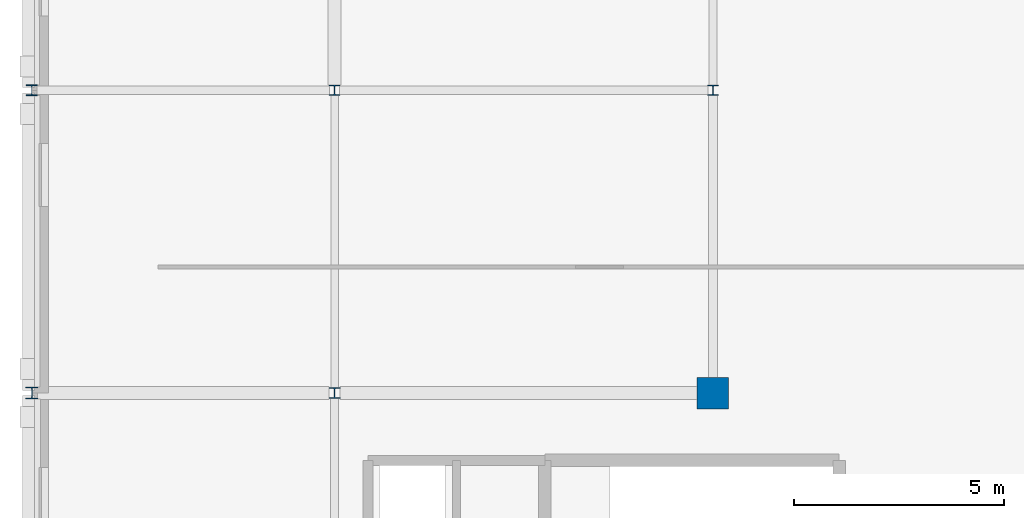
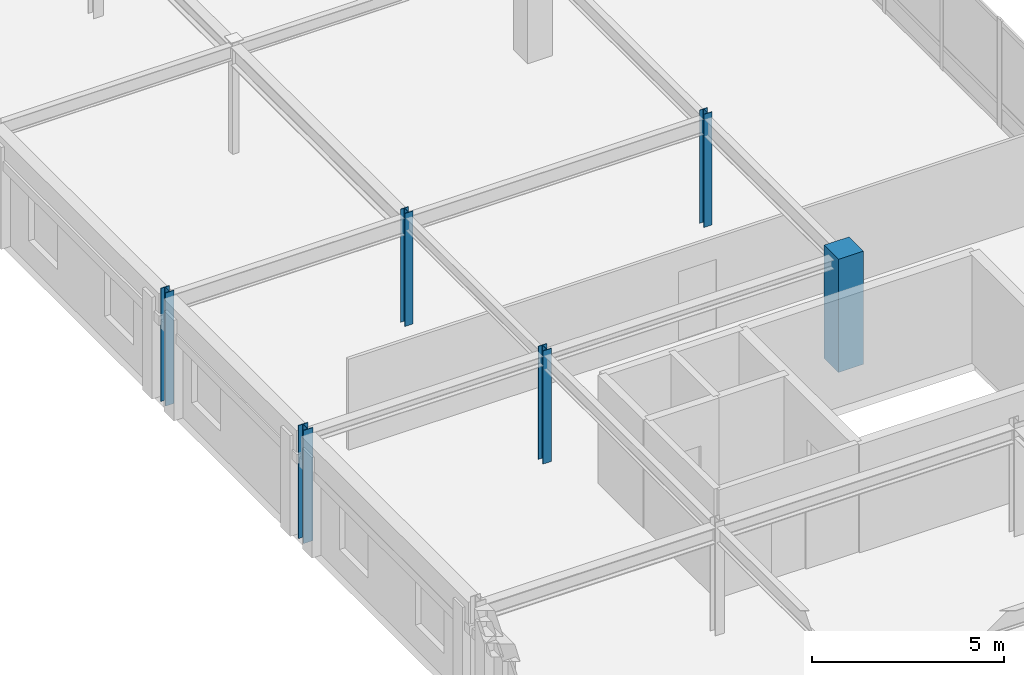
# One storey, part 2 of 74: 6 columns.
"""IFC4 building model written with IfcOpenShell, lengths in metres."""

from ifc_helpers import new_model, si_unit, direction, frame, origin, origin_2d, place, context, subcontext, project, spatial, rectangle, i_section, extrude, material, material_profile, profile_set, type_object, element, save


model = new_model("IFC4")

# Units and contexts
model_context = context("Model", 3, precision=1e-05, world=origin(), true_north=direction((0.0, 1.0)))
body_context = subcontext(model_context, "Body", "Model", "MODEL_VIEW")
ifc_project = project(units=[si_unit("LENGTHUNIT", "METRE"), si_unit("AREAUNIT", "SQUARE_METRE"), si_unit("VOLUMEUNIT", "CUBIC_METRE"), si_unit("PLANEANGLEUNIT", "RADIAN"), si_unit("MASSUNIT", "GRAM", prefix="KILO")], contexts=[model_context])

# Site, building, storey
site_placement = place(None, origin())
site = spatial("IfcSite", under=ifc_project, at=site_placement, CompositionType="ELEMENT")
building_placement = place(site_placement, origin())
building = spatial("IfcBuilding", under=site, at=building_placement, Name="Clarverna Civic Hall", CompositionType="ELEMENT")
storey_placement = place(building_placement, frame((0.0, 0.0, 13.199951171875)))
storey = spatial("IfcBuildingStorey", under=building, at=storey_placement, Name="L03", CompositionType="ELEMENT", Elevation=13.199951171875)

# Columns
ifc_material_1 = material(Name="Concrete C40/50", Category="concrete")
ifc_material_profile_1 = material_profile(ifc_material_1, rectangle(XDim=0.75, YDim=0.75, at=origin_2d()), Name="RC 750x750")
ifc_profile_set_1 = profile_set([ifc_material_profile_1], Name="Concrete C40/50")
column_type_1 = type_object("IfcColumnType", Name="C-RC5", PredefinedType="COLUMN", material=ifc_profile_set_1)
column_1_placement = place(storey_placement, frame((16.199951171875, 23.0, 0.0), z_axis=(0.0, 0.0, 1.0), x_axis=(1.0, 0.0, 0.0)))
element("IfcColumn", 1, at=column_1_placement, inside=storey, type_object=column_type_1, Name="C-RC5-012", PredefinedType="COLUMN", context=body_context, shape_type="SweptSolid", body=[
    extrude(rectangle(XDim=0.75, YDim=0.75, at=origin_2d()), origin(), (0.0, 0.0, 1.0), 3.60009765625),
])
ifc_material_2 = material(Name="Steel S355", Category="steel")
ifc_material_profile_2 = material_profile(ifc_material_2, i_section(OverallWidth=0.239990234375, OverallDepth=0.239990234375, WebThickness=0.010009765625, FlangeThickness=0.01708984375, FilletRadius=0.02099609375, at=origin_2d()), Name="HEB 240")
ifc_profile_set_2 = profile_set([ifc_material_profile_2], Name="Steel S355")
column_type_2 = type_object("IfcColumnType", Name="C-ST10", PredefinedType="COLUMN", material=ifc_profile_set_2)
for number, where, z_axis, x_axis, name in (
    (2, (7.199951171875, 30.199951171875, 0.0), (0.0, 0.0, 1.0), (1.0, 0.0, 0.0), "C-ST10-003"),
    (3, (16.199951171875, 30.199951171875, 0.0), (0.0, 0.0, 1.0), (1.0, 0.0, 0.0), "C-ST10-004"),
):
    element("IfcColumn", number, at=place(storey_placement, frame(where, z_axis=z_axis, x_axis=x_axis)), inside=storey, type_object=column_type_2, Name=name, PredefinedType="COLUMN", context=body_context, shape_type="SweptSolid", body=[
        extrude(i_section(OverallWidth=0.239990234375, OverallDepth=0.239990234375, WebThickness=0.010009765625, FlangeThickness=0.01708984375, FilletRadius=0.02099609375, at=origin_2d()), origin(), (0.0, 0.0, 1.0), 3.60009765625),
    ])
ifc_material_profile_3 = material_profile(ifc_material_2, i_section(OverallWidth=0.280029296875, OverallDepth=0.280029296875, WebThickness=0.010498046875, FlangeThickness=0.01806640625, FilletRadius=0.02392578125, at=origin_2d()), Name="HEB 280")
ifc_profile_set_3 = profile_set([ifc_material_profile_3], Name="Steel S355")
column_type_3 = type_object("IfcColumnType", Name="C-ST8", PredefinedType="COLUMN", material=ifc_profile_set_3)
column_2_placement = place(storey_placement, frame((0.0, 23.0, 0.0), z_axis=(0.0, 0.0, 1.0), x_axis=(1.0, 0.0, 0.0)))
element("IfcColumn", 4, at=column_2_placement, inside=storey, type_object=column_type_3, Name="C-ST8-001", PredefinedType="COLUMN", context=body_context, shape_type="SweptSolid", body=[
    extrude(i_section(OverallWidth=0.280029296875, OverallDepth=0.280029296875, WebThickness=0.010498046875, FlangeThickness=0.01806640625, FilletRadius=0.02392578125, at=origin_2d()), origin(), (0.0, 0.0, 1.0), 3.60009765625),
])
ifc_material_profile_4 = material_profile(ifc_material_2, i_section(OverallWidth=0.260009765625, OverallDepth=0.260009765625, WebThickness=0.010009765625, FlangeThickness=0.017578125, FilletRadius=0.02392578125, at=origin_2d()), Name="HEB 260")
ifc_profile_set_4 = profile_set([ifc_material_profile_4], Name="Steel S355")
column_type_4 = type_object("IfcColumnType", Name="C-ST9", PredefinedType="COLUMN", material=ifc_profile_set_4)
for number, where, z_axis, x_axis, name in (
    (5, (0.0, 30.199951171875, 0.0), (0.0, 0.0, 1.0), (1.0, 0.0, 0.0), "C-ST9-001"),
    (6, (7.199951171875, 23.0, 0.0), (0.0, 0.0, 1.0), (1.0, 0.0, 0.0), "C-ST9-002"),
):
    element("IfcColumn", number, at=place(storey_placement, frame(where, z_axis=z_axis, x_axis=x_axis)), inside=storey, type_object=column_type_4, Name=name, PredefinedType="COLUMN", context=body_context, shape_type="SweptSolid", body=[
        extrude(i_section(OverallWidth=0.260009765625, OverallDepth=0.260009765625, WebThickness=0.010009765625, FlangeThickness=0.017578125, FilletRadius=0.02392578125, at=origin_2d()), origin(), (0.0, 0.0, 1.0), 3.60009765625),
    ])

save(model, "model.ifc")
